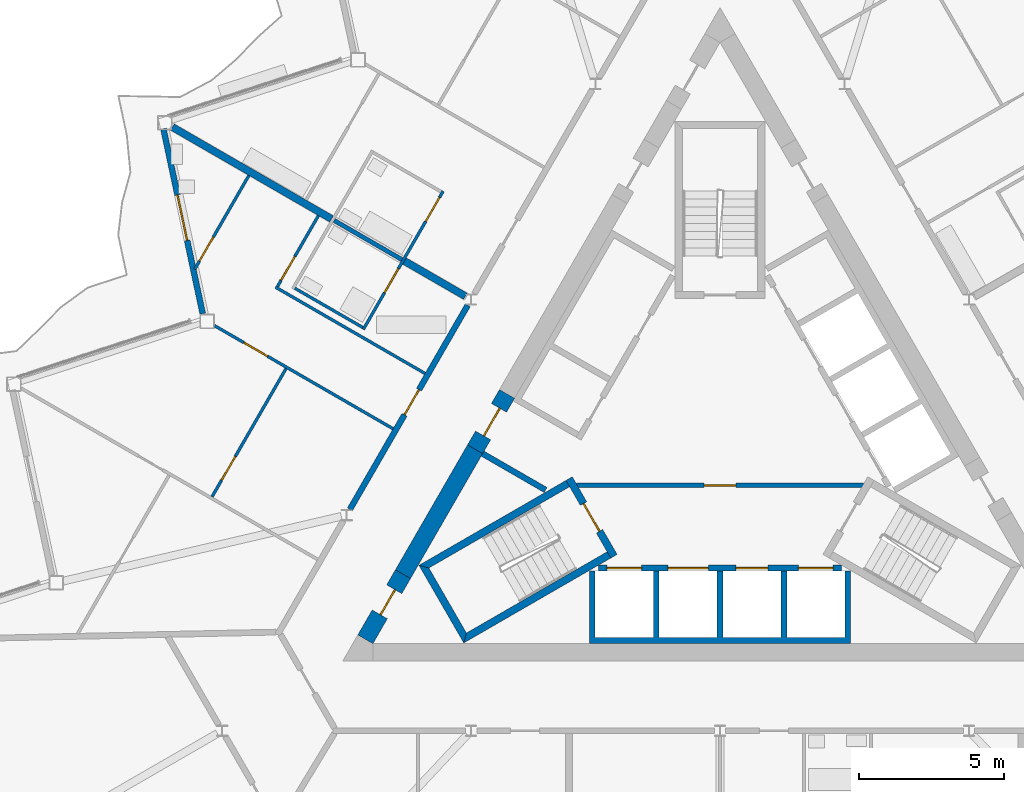
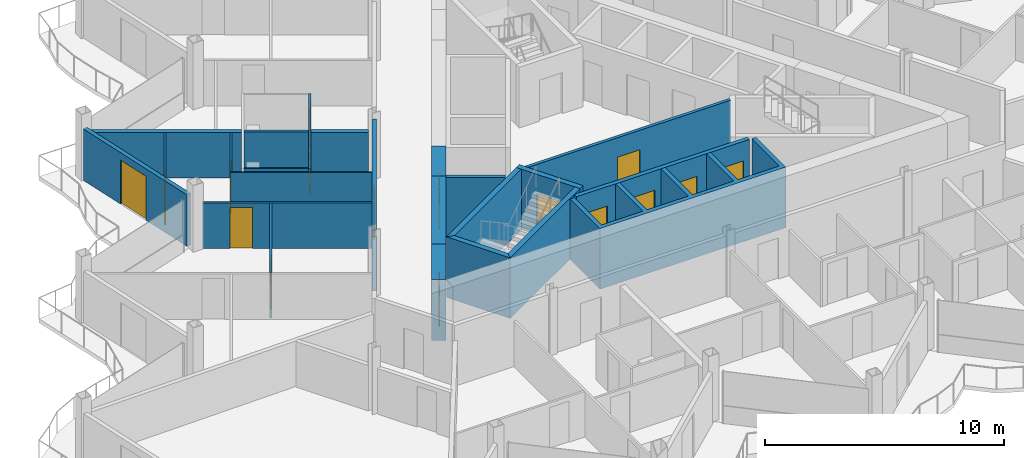
# One storey, part 13 of 25: 23 walls, 16 doors, 16 openings.
"""IFC4 building model written with IfcOpenShell, lengths in metres."""

from ifc_helpers import new_model, si_unit, direction, frame, frame_2d, origin, place, context, subcontext, project, spatial, polyline, rectangle, outline, extrude, material, layer, layer_set, type_object, element, fill, save


model = new_model("IFC4")

# Units and contexts
model_context = context("Model", 3, precision=1e-05, world=origin(), true_north=direction((0.0, 1.0)))
body_context = subcontext(model_context, "Body", "Model", "MODEL_VIEW")
ifc_project = project(units=[si_unit("LENGTHUNIT", "METRE"), si_unit("AREAUNIT", "SQUARE_METRE"), si_unit("VOLUMEUNIT", "CUBIC_METRE"), si_unit("PLANEANGLEUNIT", "RADIAN"), si_unit("MASSUNIT", "GRAM", prefix="KILO")], contexts=[model_context])

# Site, building, storey
site_placement = place(None, origin())
site = spatial("IfcSite", under=ifc_project, at=site_placement, CompositionType="ELEMENT")
building_placement = place(site_placement, origin())
building = spatial("IfcBuilding", under=site, at=building_placement, Name="Cormorant Prow Tower", CompositionType="ELEMENT")
storey_placement = place(building_placement, frame((0.0, 0.0, 391.60009765625)))
storey = spatial("IfcBuildingStorey", under=building, at=storey_placement, Name="L89", CompositionType="ELEMENT", Elevation=391.60009765625)

# Wall, opening, door
ifc_material_1 = material(Name="Gypsum board partition")
ifc_layer_1 = layer(ifc_material_1, 0.14990234375)
ifc_layer_set_1 = layer_set([ifc_layer_1], Name="Gypsum board partition")
wall_type_1 = type_object("IfcWallType", Name="Core partition 150", PredefinedType="PARTITIONING", material=ifc_layer_set_1)
wall_1_placement = place(storey_placement, frame((-4.941162109375, -1.449951171875, 0.0), z_axis=(0.0, 0.0, 1.0), x_axis=(1.0, 0.0, 0.0)))
wall_1 = element("IfcWall", 1, at=wall_1_placement, inside=storey, type_object=wall_type_1, Name="Firefighting lobby partition", PredefinedType="PARTITIONING", context=body_context, shape_type="SweptSolid", body=[
    extrude(rectangle(XDim=9.88232421875, YDim=0.14990234375, at=frame_2d((4.941162109375, 0.0))), origin(), (0.0, 0.0, 1.0), 3.099853515625),
])
opening_1_placement = place(wall_1_placement, frame((4.39111328125, 0.0, 0.0)))
opening_1 = element("IfcOpeningElement", 2, at=opening_1_placement, cuts=wall_1, Name="Opening L89-C11", PredefinedType="OPENING", context=body_context, shape_type="SweptSolid", body=[
    extrude(rectangle(XDim=1.10009765625, YDim=2.10009765625, at=frame_2d((0.550048828125, 1.050048828125))), frame((0.0, 0.0849609375, 0.0), z_axis=(0.0, -1.0, 0.0), x_axis=(1.0, 0.0, 0.0)), (0.0, 0.0, 1.0), 0.169921875),
])
ifc_material_2 = material(Name="Painted steel", Category="steel")
door_type_1 = type_object("IfcDoorType", Name="Firefighting lobby door 1100x2100", OperationType="NOTDEFINED", PredefinedType="DOOR", material=ifc_material_2)
door_1_placement = place(opening_1_placement, origin())
door_1 = element("IfcDoor", 3, at=door_1_placement, inside=storey, type_object=door_type_1, Name="Firefighting lobby door", OperationType="SINGLE_SWING_RIGHT", OverallHeight=2.10009765625, OverallWidth=1.10009765625, PredefinedType="DOOR", context=body_context, shape_type="SweptSolid", body=[
    extrude(rectangle(XDim=1.10009765625, YDim=2.10009765625, at=frame_2d((0.550048828125, 1.050048828125))), frame((0.0, 0.02490234375, 0.0), z_axis=(0.0, -1.0, 0.0), x_axis=(1.0, 0.0, 0.0)), (0.0, 0.0, 1.0), 0.050048828125),
])
fill(opening_1, door_1)

# Wall
ifc_material_3 = material(Name="Concrete 8000 psi", Category="concrete")
ifc_layer_2 = layer(ifc_material_3, 0.60009765625)
ifc_layer_set_2 = layer_set([ifc_layer_2], Name="Concrete 8000 psi")
wall_type_2 = type_object("IfcWallType", Name="Core shear wall 600", PredefinedType="SHEAR", material=ifc_layer_set_2)
wall_2_placement = place(storey_placement, frame((-8.440185546875, -0.207763671875, 0.0), z_axis=(0.0, 0.0, 1.0), x_axis=(-0.500007425856, -0.866021116422, 0.0)))
element("IfcWall", 4, at=wall_2_placement, inside=storey, type_object=wall_type_2, Name="Core wall", PredefinedType="SHEAR", context=body_context, shape_type="SweptSolid", body=[
    extrude(rectangle(XDim=4.96875, YDim=0.60009765625, at=frame_2d((2.484375, 0.0))), origin(), (0.0, 0.0, 1.0), 3.099853515625),
])

# Wall, opening, door
wall_3_placement = place(storey_placement, frame((-10.924560546875, -4.5107421875, 0.0), z_axis=(0.0, 0.0, 1.0), x_axis=(-0.500018667571, -0.866014625789, 0.0)))
wall_3 = element("IfcWall", 5, at=wall_3_placement, inside=storey, type_object=wall_type_2, Name="Core wall door panel", PredefinedType="SHEAR", context=body_context, shape_type="SweptSolid", body=[
    extrude(rectangle(XDim=2.59228515625, YDim=0.60009765625, at=frame_2d((1.296142578125, 0.0))), origin(), (0.0, 0.0, 1.0), 3.099853515625),
])
opening_2_placement = place(wall_3_placement, frame((0.60009765625, 0.0, 0.0)))
opening_2 = element("IfcOpeningElement", 6, at=opening_2_placement, cuts=wall_3, Name="Opening L89-C15", PredefinedType="OPENING", context=body_context, shape_type="SweptSolid", body=[
    extrude(rectangle(XDim=1.0, YDim=2.10009765625, at=frame_2d((0.5, 1.050048828125))), frame((0.0, 0.31005859375, 0.0), z_axis=(0.0, -1.0, 0.0), x_axis=(1.0, 0.0, 0.0)), (0.0, 0.0, 1.0), 0.6201171875),
])
ifc_material_4 = material(Name="Painted steel", Category="steel")
door_type_2 = type_object("IfcDoorType", Name="Service door 1000x2100", OperationType="NOTDEFINED", PredefinedType="DOOR", material=ifc_material_4)
door_2_placement = place(opening_2_placement, origin())
door_2 = element("IfcDoor", 7, at=door_2_placement, inside=storey, type_object=door_type_2, Name="Core door, Electrical room", OperationType="SINGLE_SWING_RIGHT", OverallHeight=2.10009765625, OverallWidth=1.0, PredefinedType="DOOR", context=body_context, shape_type="SweptSolid", body=[
    extrude(rectangle(XDim=1.0, YDim=2.10009765625, at=frame_2d((0.5, 1.050048828125))), frame((0.0, 0.05517578125, 0.0), z_axis=(0.0, -1.0, 0.0), x_axis=(1.0, 0.0, 0.0)), (0.0, 0.0, 1.0), 0.050048828125),
])
fill(opening_2, door_2)

wall_4_placement = place(storey_placement, frame((-7.340087890625, 1.697509765625, 0.0), z_axis=(0.0, 0.0, 1.0), x_axis=(-0.50002983664, -0.866008176907, 0.0)))
wall_4 = element("IfcWall", 8, at=wall_4_placement, inside=storey, type_object=wall_type_2, Name="Core wall door panel", PredefinedType="SHEAR", context=body_context, shape_type="SweptSolid", body=[
    extrude(rectangle(XDim=2.199951171875, YDim=0.60009765625, at=frame_2d((1.10009765625, 0.0))), origin(), (0.0, 0.0, 1.0), 3.099853515625),
])
opening_3_placement = place(wall_4_placement, frame((0.550048828125, 0.0, 0.0)))
opening_3 = element("IfcOpeningElement", 9, at=opening_3_placement, cuts=wall_4, Name="Opening L89-C20", PredefinedType="OPENING", context=body_context, shape_type="SweptSolid", body=[
    extrude(rectangle(XDim=1.10009765625, YDim=2.10009765625, at=frame_2d((0.550048828125, 1.050048828125))), frame((0.0, 0.31005859375, 0.0), z_axis=(0.0, -1.0, 0.0), x_axis=(1.0, 0.0, 0.0)), (0.0, 0.0, 1.0), 0.6201171875),
])
ifc_material_5 = material(Name="Painted steel", Category="steel")
door_type_3 = type_object("IfcDoorType", Name="Core door 1100x2100", OperationType="NOTDEFINED", PredefinedType="DOOR", material=ifc_material_5)
door_3_placement = place(opening_3_placement, origin())
door_3 = element("IfcDoor", 10, at=door_3_placement, inside=storey, type_object=door_type_3, Name="Core door, lift lobby", OperationType="SINGLE_SWING_RIGHT", OverallHeight=2.10009765625, OverallWidth=1.10009765625, PredefinedType="DOOR", context=body_context, shape_type="SweptSolid", body=[
    extrude(rectangle(XDim=1.10009765625, YDim=2.10009765625, at=frame_2d((0.550048828125, 1.050048828125))), frame((0.0, 0.05517578125, 0.0), z_axis=(0.0, -1.0, 0.0), x_axis=(1.0, 0.0, 0.0)), (0.0, 0.0, 1.0), 0.050048828125),
])
fill(opening_3, door_3)

ifc_material_6 = material(Name="Gypsum board corridor wall")
ifc_layer_3 = layer(ifc_material_6, 0.199951171875)
ifc_layer_set_3 = layer_set([ifc_layer_3], Name="Gypsum board corridor wall")
wall_type_3 = type_object("IfcWallType", Name="Corridor wall 200", PredefinedType="PARTITIONING", material=ifc_layer_set_3)
wall_5_placement = place(storey_placement, frame((-12.75390625, -2.279296875, 0.0), z_axis=(0.0, 0.0, 1.0), x_axis=(0.500001682468, 0.866024432409, 0.0)))
wall_5 = element("IfcWall", 11, at=wall_5_placement, inside=storey, type_object=wall_type_3, Name="Corridor wall", PredefinedType="PARTITIONING", context=body_context, shape_type="SweptSolid", body=[
    extrude(rectangle(XDim=8.12353515625, YDim=0.199951171875, at=frame_2d((4.061767578125, 0.0))), origin(), (0.0, 0.0, 1.0), 3.099853515625),
])
opening_4_placement = place(wall_5_placement, frame((3.762451171875, 0.0, 0.0)))
opening_4 = element("IfcOpeningElement", 12, at=opening_4_placement, cuts=wall_5, Name="Opening L89-F42", PredefinedType="OPENING", context=body_context, shape_type="SweptSolid", body=[
    extrude(rectangle(XDim=1.0, YDim=2.10009765625, at=frame_2d((0.5, 1.050048828125))), frame((0.0, 0.10986328125, 0.0), z_axis=(0.0, -1.0, 0.0), x_axis=(1.0, 0.0, 0.0)), (0.0, 0.0, 1.0), 0.219970703125),
])
ifc_material_7 = material(Name="Timber door leaf", Category="wood")
door_type_4 = type_object("IfcDoorType", Name="Flat or room entrance door 1000x2100", OperationType="NOTDEFINED", PredefinedType="DOOR", material=ifc_material_7)
door_4_placement = place(opening_4_placement, origin())
door_4 = element("IfcDoor", 13, at=door_4_placement, inside=storey, type_object=door_type_4, Name="Living room door", OperationType="SINGLE_SWING_RIGHT", OverallHeight=2.10009765625, OverallWidth=1.0, PredefinedType="DOOR", context=body_context, shape_type="SweptSolid", body=[
    extrude(rectangle(XDim=1.0, YDim=2.10009765625, at=frame_2d((0.5, 1.050048828125))), frame((0.0, 0.02490234375, 0.0), z_axis=(0.0, -1.0, 0.0), x_axis=(1.0, 0.0, 0.0)), (0.0, 0.0, 1.0), 0.050048828125),
])
fill(opening_4, door_4)

ifc_material_8 = material(Name="Gypsum board partition")
ifc_layer_4 = layer(ifc_material_8, 0.10009765625)
ifc_layer_set_4 = layer_set([ifc_layer_4], Name="Gypsum board partition")
wall_type_4 = type_object("IfcWallType", Name="Internal partition 100", PredefinedType="PARTITIONING", material=ifc_layer_set_4)
wall_6_placement = place(storey_placement, frame((-17.413818359375, 4.04931640625, 0.0), z_axis=(0.0, 0.0, 1.0), x_axis=(0.866033839264, -0.499985389037, 0.0)))
wall_6 = element("IfcWall", 14, at=wall_6_placement, inside=storey, type_object=wall_type_4, Name="Internal partition", PredefinedType="PARTITIONING", context=body_context, shape_type="SweptSolid", body=[
    extrude(rectangle(XDim=7.099853515625, YDim=0.10009765625, at=frame_2d((3.5498046875, 0.0))), origin(), (0.0, 0.0, 1.0), 2.330078125),
])
opening_5_placement = place(wall_6_placement, frame((1.157958984375, 0.0, 0.0)))
opening_5 = element("IfcOpeningElement", 15, at=opening_5_placement, cuts=wall_6, Name="Opening L89-F45", PredefinedType="OPENING", context=body_context, shape_type="SweptSolid", body=[
    extrude(rectangle(XDim=0.949951171875, YDim=2.10009765625, at=frame_2d((0.47509765625, 1.050048828125))), frame((0.0, 0.06005859375, 0.0), z_axis=(0.0, -1.0, 0.0), x_axis=(1.0, 0.0, 0.0)), (0.0, 0.0, 1.0), 0.1201171875),
])
ifc_material_9 = material(Name="Timber door leaf", Category="wood")
door_type_5 = type_object("IfcDoorType", Name="Bathroom door 950x2100", OperationType="NOTDEFINED", PredefinedType="DOOR", material=ifc_material_9)
door_5_placement = place(opening_5_placement, origin())
door_5 = element("IfcDoor", 16, at=door_5_placement, inside=storey, type_object=door_type_5, Name="Living room door", OperationType="SINGLE_SWING_RIGHT", OverallHeight=2.10009765625, OverallWidth=0.949951171875, PredefinedType="DOOR", context=body_context, shape_type="SweptSolid", body=[
    extrude(rectangle(XDim=0.949951171875, YDim=2.10009765625, at=frame_2d((0.47509765625, 1.050048828125))), frame((0.0, 0.02490234375, 0.0), z_axis=(0.0, -1.0, 0.0), x_axis=(1.0, 0.0, 0.0)), (0.0, 0.0, 1.0), 0.050048828125),
])
fill(opening_5, door_5)

# Wall
wall_7_placement = place(storey_placement, frame((-15.31787109375, 5.379638671875, 0.0), z_axis=(0.0, 0.0, 1.0), x_axis=(0.866035260786, -0.499982926783, 0.0)))
element("IfcWall", 17, at=wall_7_placement, inside=storey, type_object=wall_type_4, Name="Internal partition", PredefinedType="PARTITIONING", context=body_context, shape_type="SweptSolid", body=[
    extrude(rectangle(XDim=5.949951171875, YDim=0.10009765625, at=frame_2d((2.97509765625, 0.0))), origin(), (0.0, 0.0, 1.0), 2.330078125),
])

# Wall, openings, doors
wall_8_placement = place(storey_placement, frame((-12.291748046875, 3.921142578125, 0.0), z_axis=(0.0, 0.0, 1.0), x_axis=(0.499996545922, 0.866027397988, 0.0)))
wall_8 = element("IfcWall", 18, at=wall_8_placement, inside=storey, type_object=wall_type_4, Name="Internal partition", PredefinedType="PARTITIONING", context=body_context, shape_type="SweptSolid", body=[
    extrude(rectangle(XDim=5.5, YDim=0.10009765625, at=frame_2d((2.75, 0.0))), origin(), (0.0, 0.0, 1.0), 2.330078125),
])
opening_6_placement = place(wall_8_placement, frame((4.300048828125, 0.0, 0.0)))
opening_6 = element("IfcOpeningElement", 19, at=opening_6_placement, cuts=wall_8, Name="Opening L89-F36", PredefinedType="OPENING", context=body_context, shape_type="SweptSolid", body=[
    extrude(rectangle(XDim=0.949951171875, YDim=2.10009765625, at=frame_2d((0.47509765625, 1.050048828125))), frame((0.0, 0.06005859375, 0.0), z_axis=(0.0, -1.0, 0.0), x_axis=(1.0, 0.0, 0.0)), (0.0, 0.0, 1.0), 0.1201171875),
])
opening_7_placement = place(wall_8_placement, frame((1.465087890625, 0.0, 0.0)))
opening_7 = element("IfcOpeningElement", 20, at=opening_7_placement, cuts=wall_8, Name="Opening L89-F49", PredefinedType="OPENING", context=body_context, shape_type="SweptSolid", body=[
    extrude(rectangle(XDim=0.949951171875, YDim=2.10009765625, at=frame_2d((0.47509765625, 1.050048828125))), frame((0.0, 0.06005859375, 0.0), z_axis=(0.0, -1.0, 0.0), x_axis=(1.0, 0.0, 0.0)), (0.0, 0.0, 1.0), 0.1201171875),
])
door_6_placement = place(opening_6_placement, origin())
door_6 = element("IfcDoor", 21, at=door_6_placement, inside=storey, type_object=door_type_5, Name="Living room door", OperationType="SINGLE_SWING_RIGHT", OverallHeight=2.10009765625, OverallWidth=0.949951171875, PredefinedType="DOOR", context=body_context, shape_type="SweptSolid", body=[
    extrude(rectangle(XDim=0.949951171875, YDim=2.10009765625, at=frame_2d((0.47509765625, 1.050048828125))), frame((0.0, 0.02490234375, 0.0), z_axis=(0.0, -1.0, 0.0), x_axis=(1.0, 0.0, 0.0)), (0.0, 0.0, 1.0), 0.050048828125),
])
fill(opening_6, door_6)
door_7_placement = place(opening_7_placement, origin())
door_7 = element("IfcDoor", 22, at=door_7_placement, inside=storey, type_object=door_type_5, Name="Kitchen door", OperationType="SINGLE_SWING_RIGHT", OverallHeight=2.10009765625, OverallWidth=0.949951171875, PredefinedType="DOOR", context=body_context, shape_type="SweptSolid", body=[
    extrude(rectangle(XDim=0.949951171875, YDim=2.10009765625, at=frame_2d((0.47509765625, 1.050048828125))), frame((0.0, 0.02490234375, 0.0), z_axis=(0.0, -1.0, 0.0), x_axis=(1.0, 0.0, 0.0)), (0.0, 0.0, 1.0), 0.050048828125),
])
fill(opening_7, door_7)

# Wall, opening, door
wall_9_placement = place(storey_placement, frame((-17.50439453125, -1.84521484375, 0.0), z_axis=(0.0, 0.0, 1.0), x_axis=(0.499984882974, 0.866034131428, 0.0)))
wall_9 = element("IfcWall", 23, at=wall_9_placement, inside=storey, type_object=wall_type_4, Name="Internal partition", PredefinedType="PARTITIONING", context=body_context, shape_type="SweptSolid", body=[
    extrude(rectangle(XDim=5.100341796875, YDim=0.10009765625, at=frame_2d((2.55029296875, 0.0))), origin(), (0.0, 0.0, 1.0), 2.330078125),
])
opening_8_placement = place(wall_9_placement, frame((0.655517578125, 0.0, 0.0)))
opening_8 = element("IfcOpeningElement", 24, at=opening_8_placement, cuts=wall_9, Name="Opening L89-F46", PredefinedType="OPENING", context=body_context, shape_type="SweptSolid", body=[
    extrude(rectangle(XDim=0.949951171875, YDim=2.10009765625, at=frame_2d((0.47509765625, 1.050048828125))), frame((0.0, 0.06005859375, 0.0), z_axis=(0.0, -1.0, 0.0), x_axis=(1.0, 0.0, 0.0)), (0.0, 0.0, 1.0), 0.1201171875),
])
door_8_placement = place(opening_8_placement, origin())
door_8 = element("IfcDoor", 25, at=door_8_placement, inside=storey, type_object=door_type_5, Name="Bedroom door", OperationType="SINGLE_SWING_LEFT", OverallHeight=2.10009765625, OverallWidth=0.949951171875, PredefinedType="DOOR", context=body_context, shape_type="SweptSolid", body=[
    extrude(rectangle(XDim=0.949951171875, YDim=2.10009765625, at=frame_2d((0.47509765625, 1.050048828125))), frame((0.0, 0.02490234375, 0.0), z_axis=(0.0, -1.0, 0.0), x_axis=(1.0, 0.0, 0.0)), (0.0, 0.0, 1.0), 0.050048828125),
])
fill(opening_8, door_8)

wall_10_placement = place(storey_placement, frame((-18.09619140625, 6.00048828125, 0.0), z_axis=(0.0, 0.0, 1.0), x_axis=(0.500000333706, 0.866025211119, 0.0)))
wall_10 = element("IfcWall", 26, at=wall_10_placement, inside=storey, type_object=wall_type_4, Name="Internal partition", PredefinedType="PARTITIONING", context=body_context, shape_type="SweptSolid", body=[
    extrude(rectangle(XDim=3.7265625, YDim=0.10009765625, at=frame_2d((1.86328125, 0.0))), origin(), (0.0, 0.0, 1.0), 2.330078125),
])
opening_9_placement = place(wall_10_placement, frame((0.32080078125, 0.0, 0.0)))
opening_9 = element("IfcOpeningElement", 27, at=opening_9_placement, cuts=wall_10, Name="Opening L89-F43", PredefinedType="OPENING", context=body_context, shape_type="SweptSolid", body=[
    extrude(rectangle(XDim=0.949951171875, YDim=2.10009765625, at=frame_2d((0.47509765625, 1.050048828125))), frame((0.0, 0.06005859375, 0.0), z_axis=(0.0, -1.0, 0.0), x_axis=(1.0, 0.0, 0.0)), (0.0, 0.0, 1.0), 0.1201171875),
])
door_9_placement = place(opening_9_placement, origin())
door_9 = element("IfcDoor", 28, at=door_9_placement, inside=storey, type_object=door_type_5, Name="Living room door", OperationType="SINGLE_SWING_LEFT", OverallHeight=2.10009765625, OverallWidth=0.949951171875, PredefinedType="DOOR", context=body_context, shape_type="SweptSolid", body=[
    extrude(rectangle(XDim=0.949951171875, YDim=2.10009765625, at=frame_2d((0.47509765625, 1.050048828125))), frame((0.0, 0.02490234375, 0.0), z_axis=(0.0, -1.0, 0.0), x_axis=(1.0, 0.0, 0.0)), (0.0, 0.0, 1.0), 0.050048828125),
])
fill(opening_9, door_9)

wall_11_placement = place(storey_placement, frame((-15.24951171875, 5.39794921875, 0.0), z_axis=(0.0, 0.0, 1.0), x_axis=(0.499959355765, 0.866048868473, 0.0)))
wall_11 = element("IfcWall", 29, at=wall_11_placement, inside=storey, type_object=wall_type_4, Name="Internal partition", PredefinedType="PARTITIONING", context=body_context, shape_type="SweptSolid", body=[
    extrude(rectangle(XDim=2.824951171875, YDim=0.10009765625, at=frame_2d((1.41259765625, 0.0))), origin(), (0.0, 0.0, 1.0), 2.330078125),
])
opening_10_placement = place(wall_11_placement, frame((0.25, 0.0, 0.0)))
opening_10 = element("IfcOpeningElement", 30, at=opening_10_placement, cuts=wall_11, Name="Opening L89-F44", PredefinedType="OPENING", context=body_context, shape_type="SweptSolid", body=[
    extrude(rectangle(XDim=0.949951171875, YDim=2.10009765625, at=frame_2d((0.47509765625, 1.050048828125))), frame((0.0, 0.06005859375, 0.0), z_axis=(0.0, -1.0, 0.0), x_axis=(1.0, 0.0, 0.0)), (0.0, 0.0, 1.0), 0.1201171875),
])
door_10_placement = place(opening_10_placement, origin())
door_10 = element("IfcDoor", 31, at=door_10_placement, inside=storey, type_object=door_type_5, Name="Living room door", OperationType="SINGLE_SWING_LEFT", OverallHeight=2.10009765625, OverallWidth=0.949951171875, PredefinedType="DOOR", context=body_context, shape_type="SweptSolid", body=[
    extrude(rectangle(XDim=0.949951171875, YDim=2.10009765625, at=frame_2d((0.47509765625, 1.050048828125))), frame((0.0, 0.02490234375, 0.0), z_axis=(0.0, -1.0, 0.0), x_axis=(1.0, 0.0, 0.0)), (0.0, 0.0, 1.0), 0.050048828125),
])
fill(opening_10, door_10)

# Wall
wall_12_placement = place(storey_placement, frame((-14.648193359375, 5.339599609375, 0.0), z_axis=(0.0, 0.0, 1.0), x_axis=(0.86599734893, -0.500048589285, 0.0)))
element("IfcWall", 32, at=wall_12_placement, inside=storey, type_object=wall_type_4, Name="Internal partition", PredefinedType="PARTITIONING", context=body_context, shape_type="SweptSolid", body=[
    extrude(rectangle(XDim=2.699951171875, YDim=0.10009765625, at=frame_2d((1.35009765625, 0.0))), origin(), (0.0, 0.0, 1.0), 2.330078125),
])

# Wall, openings, doors
ifc_material_10 = material(Name="Concrete 5000 psi", Category="concrete")
ifc_layer_5 = layer(ifc_material_10, 0.199951171875)
ifc_layer_set_5 = layer_set([ifc_layer_5], Name="Concrete 5000 psi")
wall_type_5 = type_object("IfcWallType", Name="Lift lobby wall 200", PredefinedType="SOLIDWALL", material=ifc_layer_set_5)
wall_13_placement = place(storey_placement, frame((-4.1865234375, -4.300048828125, 0.0), z_axis=(0.0, 0.0, 1.0), x_axis=(1.0, 0.0, 0.0)))
wall_13 = element("IfcWall", 33, at=wall_13_placement, inside=storey, type_object=wall_type_5, Name="Lift lobby wall, S block", PredefinedType="SOLIDWALL", context=body_context, shape_type="SweptSolid", body=[
    extrude(rectangle(XDim=8.373046875, YDim=0.199951171875, at=frame_2d((4.1865234375, 0.0))), origin(), (0.0, 0.0, 1.0), 3.099853515625),
])
opening_11_placement = place(wall_13_placement, frame((0.28662109375, 0.0, 0.0)))
opening_11 = element("IfcOpeningElement", 34, at=opening_11_placement, cuts=wall_13, Name="Opening L89-C01", PredefinedType="OPENING", context=body_context, shape_type="SweptSolid", body=[
    extrude(rectangle(XDim=1.199951171875, YDim=2.10009765625, at=frame_2d((0.60009765625, 1.050048828125))), frame((0.0, 0.10986328125, 0.0), z_axis=(0.0, -1.0, 0.0), x_axis=(1.0, 0.0, 0.0)), (0.0, 0.0, 1.0), 0.219970703125),
])
opening_12_placement = place(wall_13_placement, frame((2.38671875, 0.0, 0.0)))
opening_12 = element("IfcOpeningElement", 35, at=opening_12_placement, cuts=wall_13, Name="Opening L89-C02", PredefinedType="OPENING", context=body_context, shape_type="SweptSolid", body=[
    extrude(rectangle(XDim=1.39990234375, YDim=2.10009765625, at=frame_2d((0.699951171875, 1.050048828125))), frame((0.0, 0.10986328125, 0.0), z_axis=(0.0, -1.0, 0.0), x_axis=(1.0, 0.0, 0.0)), (0.0, 0.0, 1.0), 0.219970703125),
])
opening_13_placement = place(wall_13_placement, frame((4.736572265625, 0.0, 0.0)))
opening_13 = element("IfcOpeningElement", 36, at=opening_13_placement, cuts=wall_13, Name="Opening L89-C03", PredefinedType="OPENING", context=body_context, shape_type="SweptSolid", body=[
    extrude(rectangle(XDim=1.10009765625, YDim=2.10009765625, at=frame_2d((0.550048828125, 1.050048828125))), frame((0.0, 0.10986328125, 0.0), z_axis=(0.0, -1.0, 0.0), x_axis=(1.0, 0.0, 0.0)), (0.0, 0.0, 1.0), 0.219970703125),
])
opening_14_placement = place(wall_13_placement, frame((6.88671875, 0.0, 0.0)))
opening_14 = element("IfcOpeningElement", 37, at=opening_14_placement, cuts=wall_13, Name="Opening L89-C04", PredefinedType="OPENING", context=body_context, shape_type="SweptSolid", body=[
    extrude(rectangle(XDim=1.199951171875, YDim=2.10009765625, at=frame_2d((0.60009765625, 1.050048828125))), frame((0.0, 0.10986328125, 0.0), z_axis=(0.0, -1.0, 0.0), x_axis=(1.0, 0.0, 0.0)), (0.0, 0.0, 1.0), 0.219970703125),
])
ifc_material_11 = material(Name="Painted steel", Category="steel")
door_type_6 = type_object("IfcDoorType", Name="Firefighting lift landing door 1200x2100", OperationType="SLIDING_TO_LEFT", PredefinedType="DOOR", material=ifc_material_11)
door_11_placement = place(opening_11_placement, origin())
door_11 = element("IfcDoor", 38, at=door_11_placement, inside=storey, type_object=door_type_6, Name="Landing door FL1", OperationType="SLIDING_TO_LEFT", OverallHeight=2.10009765625, OverallWidth=1.199951171875, PredefinedType="DOOR", context=body_context, shape_type="SweptSolid", body=[
    extrude(rectangle(XDim=1.199951171875, YDim=2.10009765625, at=frame_2d((0.60009765625, 1.050048828125))), frame((0.0, 0.02490234375, 0.0), z_axis=(0.0, -1.0, 0.0), x_axis=(1.0, 0.0, 0.0)), (0.0, 0.0, 1.0), 0.050048828125),
])
fill(opening_11, door_11)
door_12_placement = place(opening_14_placement, origin())
door_12 = element("IfcDoor", 39, at=door_12_placement, inside=storey, type_object=door_type_6, Name="Landing door FL2", OperationType="SLIDING_TO_LEFT", OverallHeight=2.10009765625, OverallWidth=1.199951171875, PredefinedType="DOOR", context=body_context, shape_type="SweptSolid", body=[
    extrude(rectangle(XDim=1.199951171875, YDim=2.10009765625, at=frame_2d((0.60009765625, 1.050048828125))), frame((0.0, 0.02490234375, 0.0), z_axis=(0.0, -1.0, 0.0), x_axis=(1.0, 0.0, 0.0)), (0.0, 0.0, 1.0), 0.050048828125),
])
fill(opening_14, door_12)
ifc_material_12 = material(Name="Painted steel", Category="steel")
door_type_7 = type_object("IfcDoorType", Name="Lift landing door 1100x2100", OperationType="SLIDING_TO_LEFT", PredefinedType="DOOR", material=ifc_material_12)
door_13_placement = place(opening_13_placement, origin())
door_13 = element("IfcDoor", 40, at=door_13_placement, inside=storey, type_object=door_type_7, Name="Landing door HR1", OperationType="SLIDING_TO_LEFT", OverallHeight=2.10009765625, OverallWidth=1.10009765625, PredefinedType="DOOR", context=body_context, shape_type="SweptSolid", body=[
    extrude(rectangle(XDim=1.10009765625, YDim=2.10009765625, at=frame_2d((0.550048828125, 1.050048828125))), frame((0.0, 0.02490234375, 0.0), z_axis=(0.0, -1.0, 0.0), x_axis=(1.0, 0.0, 0.0)), (0.0, 0.0, 1.0), 0.050048828125),
])
fill(opening_13, door_13)
ifc_material_13 = material(Name="Painted steel", Category="steel")
door_type_8 = type_object("IfcDoorType", Name="Service lift landing door 1400x2100", OperationType="SLIDING_TO_LEFT", PredefinedType="DOOR", material=ifc_material_13)
door_14_placement = place(opening_12_placement, origin())
door_14 = element("IfcDoor", 41, at=door_14_placement, inside=storey, type_object=door_type_8, Name="Landing door SL1", OperationType="SLIDING_TO_LEFT", OverallHeight=2.10009765625, OverallWidth=1.39990234375, PredefinedType="DOOR", context=body_context, shape_type="SweptSolid", body=[
    extrude(rectangle(XDim=1.39990234375, YDim=2.10009765625, at=frame_2d((0.699951171875, 1.050048828125))), frame((0.0, 0.02490234375, 0.0), z_axis=(0.0, -1.0, 0.0), x_axis=(1.0, 0.0, 0.0)), (0.0, 0.0, 1.0), 0.050048828125),
])
fill(opening_12, door_14)

# Walls
ifc_material_14 = material(Name="Concrete 8000 psi", Category="concrete")
ifc_layer_6 = layer(ifc_material_14, 0.199951171875)
ifc_layer_set_6 = layer_set([ifc_layer_6], Name="Concrete 8000 psi")
wall_type_6 = type_object("IfcWallType", Name="Lift shaft wall 200", PredefinedType="SHEAR", material=ifc_layer_set_6)
wall_14_placement = place(storey_placement, origin())
element("IfcWall", 42, at=wall_14_placement, inside=storey, type_object=wall_type_6, Name="Lift shaft walls, S block", PredefinedType="SHEAR", context=body_context, shape_type="SweptSolid", body=[
    extrude(outline(polyline([(4.5, -4.39990234375), (4.5, -6.906005859375), (-4.5, -6.906005859375), (-4.5, -4.39990234375), (-4.300048828125, -4.39990234375), (-4.300048828125, -6.699951171875), (-2.300048828125, -6.699951171875), (-2.300048828125, -4.39990234375), (-2.10009765625, -4.39990234375), (-2.10009765625, -6.699951171875), (-0.10009765625, -6.699951171875), (-0.10009765625, -4.39990234375), (0.10009765625, -4.39990234375), (0.10009765625, -6.699951171875), (2.10009765625, -6.699951171875), (2.10009765625, -4.39990234375), (2.300048828125, -4.39990234375), (2.300048828125, -6.699951171875), (4.300048828125, -6.699951171875), (4.300048828125, -4.39990234375), (4.5, -4.39990234375)])), origin(), (0.0, 0.0, 1.0), 3.099853515625),
])
wall_15_placement = place(storey_placement, origin())
element("IfcWall", 43, at=wall_15_placement, inside=storey, type_object=wall_type_6, Name="Lift shaft walls, WNW block", PredefinedType="SHEAR", context=body_context, shape_type="SweptSolid", body=[
    extrude(outline(polyline([(-6.060546875, -1.697021484375), (-8.230712890625, -0.444091796875), (-8.130859375, -0.27099609375), (-5.96044921875, -1.52392578125), (-6.060546875, -1.697021484375)])), origin(), (0.0, 0.0, 1.0), 3.099853515625),
])
ifc_material_15 = material(Name="Concrete 8000 psi", Category="concrete")
ifc_layer_7 = layer(ifc_material_15, 0.25)
ifc_layer_set_7 = layer_set([ifc_layer_7], Name="Concrete 8000 psi")
wall_type_7 = type_object("IfcWallType", Name="Stair wall 250", PredefinedType="SHEAR", material=ifc_layer_set_7)
wall_16_placement = place(storey_placement, origin())
element("IfcWall", 44, at=wall_16_placement, inside=storey, type_object=wall_type_7, Name="Stair ST1 enclosure wall (flank)", PredefinedType="SHEAR", context=body_context, shape_type="SweptSolid", body=[
    extrude(outline(polyline([(-5.30712890625, -1.28125), (-10.37353515625, -4.206298828125), (-10.031982421875, -4.2978515625), (-5.18212890625, -1.497802734375), (-5.30712890625, -1.28125)])), origin(), (0.0, 0.0, 1.0), 3.099853515625),
])
wall_17_placement = place(storey_placement, origin())
element("IfcWall", 45, at=wall_17_placement, inside=storey, type_object=wall_type_7, Name="Stair ST1 enclosure wall (end)", PredefinedType="SHEAR", context=body_context, shape_type="SweptSolid", body=[
    extrude(outline(polyline([(-10.37353515625, -4.206298828125), (-8.82958984375, -6.880615234375), (-8.738037109375, -6.5390625), (-10.031982421875, -4.2978515625), (-10.37353515625, -4.206298828125)])), origin(), (0.0, 0.0, 1.0), 3.099853515625),
])
wall_18_placement = place(storey_placement, origin())
element("IfcWall", 46, at=wall_18_placement, inside=storey, type_object=wall_type_7, Name="Stair ST1 enclosure wall (flank)", PredefinedType="SHEAR", context=body_context, shape_type="SweptSolid", body=[
    extrude(outline(polyline([(-8.738037109375, -6.5390625), (-8.82958984375, -6.880615234375), (-3.76318359375, -3.95556640625), (-3.88818359375, -3.739013671875), (-8.738037109375, -6.5390625)])), origin(), (0.0, 0.0, 1.0), 3.099853515625),
])

# Wall, opening, door
wall_19_placement = place(storey_placement, frame((-5.198974609375, -1.21875, 0.0), z_axis=(0.0, 0.0, 1.0), x_axis=(0.499982516597, -0.866035497597, 0.0)))
wall_19 = element("IfcWall", 47, at=wall_19_placement, inside=storey, type_object=wall_type_7, Name="Stair ST1 door wall", PredefinedType="SHEAR", context=body_context, shape_type="SweptSolid", body=[
    extrude(rectangle(XDim=3.087890625, YDim=0.25, at=frame_2d((1.5439453125, 0.0))), origin(), (0.0, 0.0, 1.0), 3.099853515625),
])
opening_15_placement = place(wall_19_placement, frame((0.993896484375, 0.0, 0.0)))
opening_15 = element("IfcOpeningElement", 48, at=opening_15_placement, cuts=wall_19, Name="Opening L89-C12", PredefinedType="OPENING", context=body_context, shape_type="SweptSolid", body=[
    extrude(rectangle(XDim=1.10009765625, YDim=2.10009765625, at=frame_2d((0.550048828125, 1.050048828125))), frame((0.0, 0.135009765625, 0.0), z_axis=(0.0, -1.0, 0.0), x_axis=(1.0, 0.0, 0.0)), (0.0, 0.0, 1.0), 0.27001953125),
])
ifc_material_16 = material(Name="Painted steel", Category="steel")
door_type_9 = type_object("IfcDoorType", Name="Stair door 1100x2100", OperationType="NOTDEFINED", PredefinedType="DOOR", material=ifc_material_16)
door_15_placement = place(opening_15_placement, origin())
door_15 = element("IfcDoor", 49, at=door_15_placement, inside=storey, type_object=door_type_9, Name="Stair ST1 door", OperationType="SINGLE_SWING_LEFT", OverallHeight=2.10009765625, OverallWidth=1.10009765625, PredefinedType="DOOR", context=body_context, shape_type="SweptSolid", body=[
    extrude(rectangle(XDim=1.10009765625, YDim=2.10009765625, at=frame_2d((0.550048828125, 1.050048828125))), frame((0.0, 0.02490234375, 0.0), z_axis=(0.0, -1.0, 0.0), x_axis=(1.0, 0.0, 0.0)), (0.0, 0.0, 1.0), 0.050048828125),
])
fill(opening_15, door_15)

# Walls
ifc_material_17 = material(Name="Acoustic gypsum party wall")
ifc_layer_8 = layer(ifc_material_17, 0.25)
ifc_layer_set_8 = layer_set([ifc_layer_8], Name="Acoustic gypsum party wall")
wall_type_8 = type_object("IfcWallType", Name="Suite party wall 250", PredefinedType="PARTITIONING", material=ifc_layer_set_8)
wall_20_placement = place(storey_placement, frame((-18.86865234375, 10.893798828125, 0.0), z_axis=(0.0, 0.0, 1.0), x_axis=(0.866023139795, -0.500003921324, 0.0)))
element("IfcWall", 50, at=wall_20_placement, inside=storey, type_object=wall_type_8, Name="Suite party wall", PredefinedType="PARTITIONING", context=body_context, shape_type="SweptSolid", body=[
    extrude(rectangle(XDim=6.33203125, YDim=0.25, at=frame_2d((3.166015625, 0.0))), origin(), (0.0, 0.0, 1.0), 2.330078125),
])
wall_21_placement = place(storey_placement, frame((-10.873291015625, 6.27783203125, 0.0), z_axis=(0.0, 0.0, 1.0), x_axis=(0.865989219354, -0.500062668036, 0.0)))
element("IfcWall", 51, at=wall_21_placement, inside=storey, type_object=wall_type_8, Name="Suite party wall", PredefinedType="PARTITIONING", context=body_context, shape_type="SweptSolid", body=[
    extrude(rectangle(XDim=2.422607421875, YDim=0.25, at=frame_2d((1.21142578125, 0.0))), origin(), (0.0, 0.0, 1.0), 2.330078125),
])

# Wall, opening, door
ifc_material_18 = material(Name="Terracotta", Category="masonry")
ifc_layer_9 = layer(ifc_material_18, 0.199951171875)
ifc_layer_set_9 = layer_set([ifc_layer_9], Name="Terracotta")
wall_type_9 = type_object("IfcWallType", Name="Terracotta jamb wall 200", PredefinedType="SOLIDWALL", material=ifc_layer_set_9)
wall_22_placement = place(storey_placement, frame((-19.178955078125, 10.836181640625, 0.0), z_axis=(0.0, 0.0, 1.0), x_axis=(0.207910765171, -0.978147797486, 0.0)))
wall_22 = element("IfcWall", 52, at=wall_22_placement, inside=storey, type_object=wall_type_9, Name="Terracotta jamb wall WNW05", PredefinedType="SOLIDWALL", context=body_context, shape_type="SweptSolid", body=[
    extrude(rectangle(XDim=6.512451171875, YDim=0.199951171875, at=frame_2d((3.25634765625, 0.0))), origin(), (0.0, 0.0, 1.0), 2.6337890625),
])
opening_16_placement = place(wall_22_placement, frame((2.332763671875, 0.0, 0.0)))
opening_16 = element("IfcOpeningElement", 53, at=opening_16_placement, cuts=wall_22, Name="Opening ED89.13", PredefinedType="OPENING", context=body_context, shape_type="SweptSolid", body=[
    extrude(rectangle(XDim=1.60009765625, YDim=2.25, at=frame_2d((0.800048828125, 1.125))), frame((0.0, 0.10986328125, 0.0), z_axis=(0.0, -1.0, 0.0), x_axis=(1.0, 0.0, 0.0)), (0.0, 0.0, 1.0), 0.219970703125),
])
ifc_material_19 = material(Name="Aluminium 6063-T6", Category="aluminium")
door_type_10 = type_object("IfcDoorType", Name="Balcony door 1600x2250", OperationType="DOUBLE_DOOR_SINGLE_SWING", PredefinedType="DOOR", material=ifc_material_19)
door_16_placement = place(opening_16_placement, origin())
door_16 = element("IfcDoor", 54, at=door_16_placement, inside=storey, type_object=door_type_10, Name="Balcony door WNW05 ED89.13", OperationType="DOUBLE_DOOR_SINGLE_SWING", OverallHeight=2.25, OverallWidth=1.60009765625, PredefinedType="DOOR", context=body_context, shape_type="SweptSolid", body=[
    extrude(rectangle(XDim=1.60009765625, YDim=2.25, at=frame_2d((0.800048828125, 1.125))), frame((0.0, 0.02490234375, 0.0), z_axis=(0.0, -1.0, 0.0), x_axis=(1.0, 0.0, 0.0)), (0.0, 0.0, 1.0), 0.050048828125),
])
fill(opening_16, door_16)

# Wall
ifc_material_20 = material(Name="Plasterboard wet wall with pipe chase")
ifc_layer_10 = layer(ifc_material_20, 0.14990234375)
ifc_layer_set_10 = layer_set([ifc_layer_10], Name="Plasterboard wet wall with pipe chase")
wall_type_10 = type_object("IfcWallType", Name="Wet wall 150", PredefinedType="PLUMBINGWALL", material=ifc_layer_set_10)
wall_23_placement = place(storey_placement, frame((-13.29833984375, 7.677734375, 0.0), z_axis=(0.0, 0.0, 1.0), x_axis=(0.866059108428, -0.4999416173, 0.0)))
element("IfcWall", 55, at=wall_23_placement, inside=storey, type_object=wall_type_10, Name="Wet wall", PredefinedType="PLUMBINGWALL", context=body_context, shape_type="SweptSolid", body=[
    extrude(rectangle(XDim=2.699951171875, YDim=0.14990234375, at=frame_2d((1.35009765625, 0.0))), origin(), (0.0, 0.0, 1.0), 2.330078125),
])

save(model, "model.ifc")
